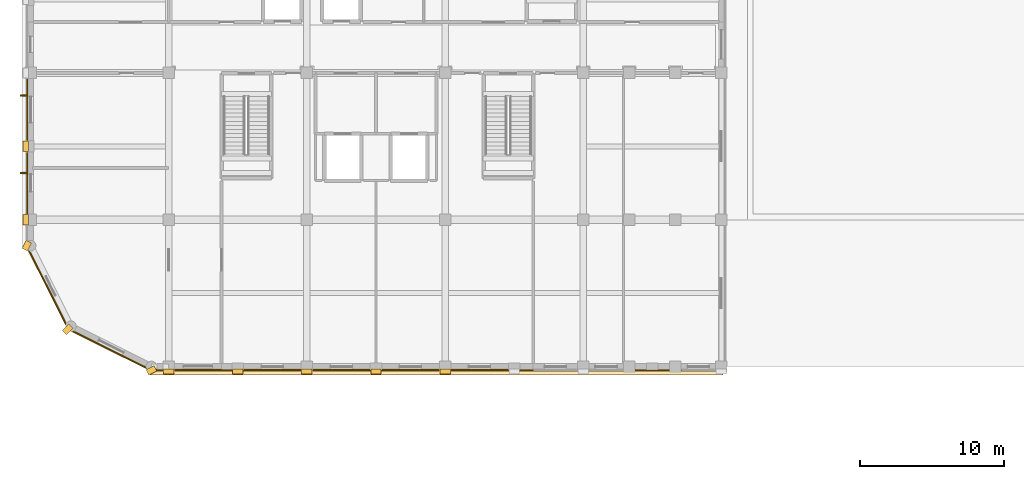
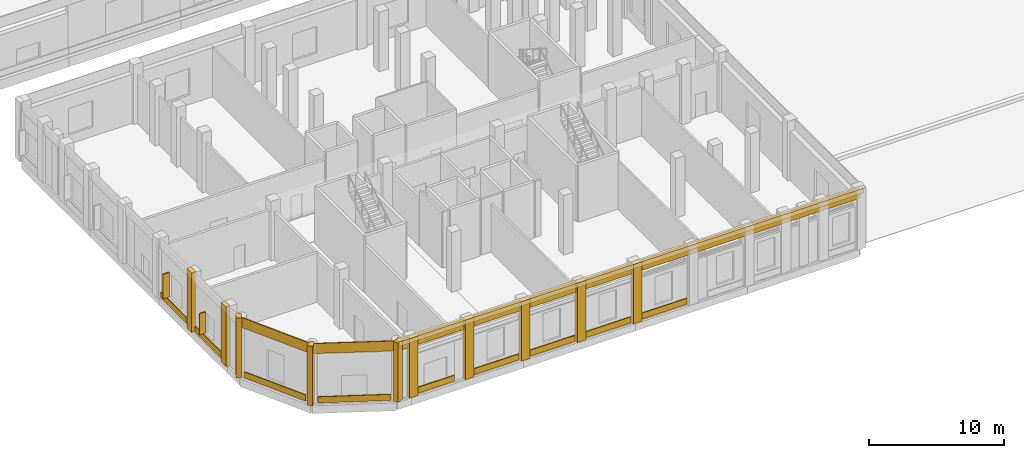
# One storey, part 116 of 137: 23 coverings, 2 shading devices.
"""IFC4 building model written with IfcOpenShell, lengths in metres."""

from ifc_helpers import new_model, si_unit, direction, frame, origin, origin_2d, place, context, subcontext, project, spatial, rectangle, extrude, material, layer, layer_set, type_object, element, save


model = new_model("IFC4")

# Units and contexts
model_context = context("Model", 3, precision=1e-05, world=origin(), true_north=direction((0.0, 1.0)))
body_context = subcontext(model_context, "Body", "Model", "MODEL_VIEW")
ifc_project = project(units=[si_unit("LENGTHUNIT", "METRE"), si_unit("AREAUNIT", "SQUARE_METRE"), si_unit("VOLUMEUNIT", "CUBIC_METRE"), si_unit("PLANEANGLEUNIT", "RADIAN"), si_unit("MASSUNIT", "GRAM", prefix="KILO")], contexts=[model_context])

# Site, building, storey
site_placement = place(None, origin())
site = spatial("IfcSite", under=ifc_project, at=site_placement, CompositionType="ELEMENT")
building_placement = place(site_placement, origin())
building = spatial("IfcBuilding", under=site, at=building_placement, Name="Vondelvale Polytechnic", CompositionType="ELEMENT")
storey_placement = place(building_placement, origin())
storey = spatial("IfcBuildingStorey", under=building, at=storey_placement, Name="L00", CompositionType="ELEMENT", Elevation=0.0)

# Coverings
ifc_material_1 = material(Name="Malmsbury bluestone ashlar stone masonry", Category="masonry")
ifc_layer = layer(ifc_material_1, 0.080078125)
ifc_layer_set = layer_set([ifc_layer], Name="COV-BLUESTONE-PLINTH")
covering_type = type_object("IfcCoveringType", Name="COV-BLUESTONE-PLINTH", PredefinedType="CLADDING", material=ifc_layer_set)
covering_1_placement = place(storey_placement, frame((28.199951171875, -0.260009765625, 4.43994140625), z_axis=(0.0, 0.0, 1.0), x_axis=(1.0, 0.0, 0.0)))
element("IfcCovering", 1, at=covering_1_placement, inside=storey, type_object=covering_type, Name="L00 exterior masonry spandrel band", PredefinedType="CLADDING", context=body_context, shape_type="SweptSolid", body=[
    extrude(rectangle(XDim=39.60009765625, YDim=0.080078125, at=origin_2d()), origin(), (0.0, 0.0, 1.0), 0.9599609375),
])
for number, where, z_axis, x_axis, name in (
    (2, (5.483642578125, 1.16748046875, 4.5), (0.0, 0.0, 1.0), (-0.89438856037, 0.447290848419, 0.0), "L00 exterior masonry spandrel band"),
    (3, (1.16748046875, 5.483642578125, 4.5), (0.0, 0.0, 1.0), (-0.447290848419, 0.89438856037, 0.0), "L00 exterior masonry spandrel band"),
):
    element("IfcCovering", number, at=place(storey_placement, frame(where, z_axis=z_axis, x_axis=x_axis)), inside=storey, type_object=covering_type, Name=name, PredefinedType="CLADDING", context=body_context, shape_type="SweptSolid", body=[
        extrude(rectangle(XDim=6.260986328125, YDim=0.080078125, at=origin_2d()), origin(), (0.0, 0.0, 1.0), 0.89990234375),
    ])
for number, where, z_axis, x_axis, name in (
    (4, (5.494384765625, 1.18896484375, 0.0), (0.0, 0.0, 1.0), (-0.89438856037, 0.447290848419, 0.0), "L00 exterior corbelled masonry relief band"),
    (5, (1.18896484375, 5.494384765625, 0.0), (0.0, 0.0, 1.0), (-0.447290848419, 0.89438856037, 0.0), "L00 exterior corbelled masonry relief band"),
):
    element("IfcCovering", number, at=place(storey_placement, frame(where, z_axis=z_axis, x_axis=x_axis)), inside=storey, type_object=covering_type, Name=name, PredefinedType="CLADDING", context=body_context, shape_type="SweptSolid", body=[
        extrude(rectangle(XDim=5.452392578125, YDim=0.080078125, at=origin_2d()), origin(), (0.0, 0.0, 1.0), 0.550048828125),
    ])
covering_2_placement = place(storey_placement, frame((11.637939453125, -0.236083984375, 0.0), z_axis=(0.0, 0.0, 1.0), x_axis=(-1.0, 0.0, 0.0)))
element("IfcCovering", 6, at=covering_2_placement, inside=storey, type_object=covering_type, Name="L00 exterior corbelled masonry relief band", PredefinedType="CLADDING", context=body_context, shape_type="SweptSolid", body=[
    extrude(rectangle(XDim=3.214111328125, YDim=0.080078125, at=origin_2d()), origin(), (0.0, 0.0, 1.0), 0.550048828125),
])
for number, where, z_axis, x_axis, name in (
    (7, (16.800048828125, -0.236083984375, 0.0), (0.0, 0.0, 1.0), (-1.0, 0.0, 0.0), "L00 exterior corbelled masonry relief band"),
    (8, (21.60009765625, -0.236083984375, 0.0), (0.0, 0.0, 1.0), (-1.0, 0.0, 0.0), "L00 exterior corbelled masonry relief band"),
    (9, (26.39990234375, -0.236083984375, 0.0), (0.0, 0.0, 1.0), (-1.0, 0.0, 0.0), "L00 exterior corbelled masonry relief band"),
    (10, (31.199951171875, -0.236083984375, 0.0), (0.0, 0.0, 1.0), (-1.0, 0.0, 0.0), "L00 exterior corbelled masonry relief band"),
):
    element("IfcCovering", number, at=place(storey_placement, frame(where, z_axis=z_axis, x_axis=x_axis)), inside=storey, type_object=covering_type, Name=name, PredefinedType="CLADDING", context=body_context, shape_type="SweptSolid", body=[
        extrude(rectangle(XDim=3.93798828125, YDim=0.080078125, at=origin_2d()), origin(), (0.0, 0.0, 1.0), 0.550048828125),
    ])
for number, where, z_axis, x_axis, name in (
    (11, (-0.236083984375, 12.75, 0.0), (0.0, 0.0, 1.0), (0.0, 1.0, 0.0), "L00 exterior corbelled masonry relief band"),
    (12, (-0.236083984375, 17.85009765625, 0.0), (0.0, 0.0, 1.0), (0.0, 1.0, 0.0), "L00 exterior corbelled masonry relief band"),
):
    element("IfcCovering", number, at=place(storey_placement, frame(where, z_axis=z_axis, x_axis=x_axis)), inside=storey, type_object=covering_type, Name=name, PredefinedType="CLADDING", context=body_context, shape_type="SweptSolid", body=[
        extrude(rectangle(XDim=4.238037109375, YDim=0.080078125, at=origin_2d()), origin(), (0.0, 0.0, 1.0), 0.550048828125),
    ])
for number, where, z_axis, x_axis, name in (
    (13, (9.60009765625, -0.340087890625, 0.0), (0.0, 0.0, 1.0), (1.0, 0.0, 0.0), "L00 Classical street pilaster"),
    (14, (14.39990234375, -0.340087890625, 0.0), (0.0, 0.0, 1.0), (1.0, 0.0, 0.0), "L00 Classical street pilaster"),
    (15, (19.199951171875, -0.340087890625, 0.0), (0.0, 0.0, 1.0), (1.0, 0.0, 0.0), "L00 Classical street pilaster"),
    (16, (24.0, -0.340087890625, 0.0), (0.0, 0.0, 1.0), (1.0, 0.0, 0.0), "L00 Classical street pilaster"),
    (17, (28.800048828125, -0.340087890625, 0.0), (0.0, 0.0, 1.0), (1.0, 0.0, 0.0), "L00 Classical street pilaster"),
):
    element("IfcCovering", number, at=place(storey_placement, frame(where, z_axis=z_axis, x_axis=x_axis)), inside=storey, type_object=covering_type, Name=name, PredefinedType="CLADDING", context=body_context, shape_type="SweptSolid", body=[
        extrude(rectangle(XDim=0.719970703125, YDim=0.360107421875, at=origin_2d()), origin(), (0.0, 0.0, 1.0), 5.39990234375),
    ])
for number, where, z_axis, x_axis, name in (
    (18, (-0.340087890625, 10.199951171875, 0.0), (0.0, 0.0, 1.0), (1.0, 0.0, 0.0), "L00 Classical street pilaster"),
    (19, (-0.340087890625, 15.300048828125, 0.0), (0.0, 0.0, 1.0), (1.0, 0.0, 0.0), "L00 Classical street pilaster"),
):
    element("IfcCovering", number, at=place(storey_placement, frame(where, z_axis=z_axis, x_axis=x_axis)), inside=storey, type_object=covering_type, Name=name, PredefinedType="CLADDING", context=body_context, shape_type="SweptSolid", body=[
        extrude(rectangle(XDim=0.360107421875, YDim=0.719970703125, at=origin_2d()), origin(), (0.0, 0.0, 1.0), 5.39990234375),
    ])
for number, where, z_axis, x_axis, name in (
    (20, (8.39990234375, -0.260009765625, 0.0), (0.0, 0.0, 1.0), (0.894934361602, 0.44619781311, 0.0), "L00 Amsterdam School turret buttress rib"),
    (21, (2.580078125, 2.580078125, 0.0), (0.0, 0.0, 1.0), (0.707106781187, 0.707106781187, 0.0), "L00 Amsterdam School turret buttress rib"),
    (22, (-0.260009765625, 8.39990234375, 0.0), (0.0, 0.0, 1.0), (0.44619781311, 0.894934361602, 0.0), "L00 Amsterdam School turret buttress rib"),
):
    element("IfcCovering", number, at=place(storey_placement, frame(where, z_axis=z_axis, x_axis=x_axis)), inside=storey, type_object=covering_type, Name=name, PredefinedType="CLADDING", context=body_context, shape_type="SweptSolid", body=[
        extrude(rectangle(XDim=0.6201171875, YDim=0.419921875, at=origin_2d()), origin(), (0.0, 0.0, 1.0), 5.39990234375),
    ])
covering_3_placement = place(storey_placement, frame((28.199951171875, -0.360107421875, 5.0400390625), z_axis=(0.0, 0.0, 1.0), x_axis=(1.0, 0.0, 0.0)))
element("IfcCovering", 23, at=covering_3_placement, inside=storey, type_object=covering_type, Name="L00 Classical bluestone podium cornice S", PredefinedType="CLADDING", context=body_context, shape_type="SweptSolid", body=[
    extrude(rectangle(XDim=39.800048828125, YDim=0.43994140625, at=origin_2d()), origin(), (0.0, 0.0, 1.0), 0.419921875),
])

# Shading devices
ifc_material_2 = material(Name="Kiln-fired architectural terracotta", Category="masonry")
shading_device_type = type_object("IfcShadingDeviceType", Name="SHD-TERRA-FIN-550", PredefinedType="JALOUSIE", material=ifc_material_2)
shading_device_1_placement = place(storey_placement, frame((-0.4599609375, 13.43994140625, 0.7900390625), z_axis=(0.0, 0.0, 1.0), x_axis=(0.0, 1.0, 0.0)))
element("IfcShadingDevice", 24, at=shading_device_1_placement, inside=storey, type_object=shading_device_type, Name="L00 vertical terracotta solar fin", PredefinedType="JALOUSIE", context=body_context, shape_type="SweptSolid", body=[
    extrude(rectangle(XDim=0.110107421875, YDim=0.550048828125, at=origin_2d()), origin(), (0.0, 0.0, 1.0), 1.919921875),
])
shading_device_2_placement = place(storey_placement, frame((-0.4599609375, 18.840087890625, 0.7900390625), z_axis=(0.0, 0.0, 1.0), x_axis=(0.0, 1.0, 0.0)))
element("IfcShadingDevice", 25, at=shading_device_2_placement, inside=storey, type_object=shading_device_type, Name="L00 vertical terracotta solar fin", PredefinedType="JALOUSIE", context=body_context, shape_type="SweptSolid", body=[
    extrude(rectangle(XDim=0.110107421875, YDim=0.550048828125, at=origin_2d()), origin(), (0.0, 0.0, 1.0), 2.219970703125),
])

save(model, "model.ifc")
